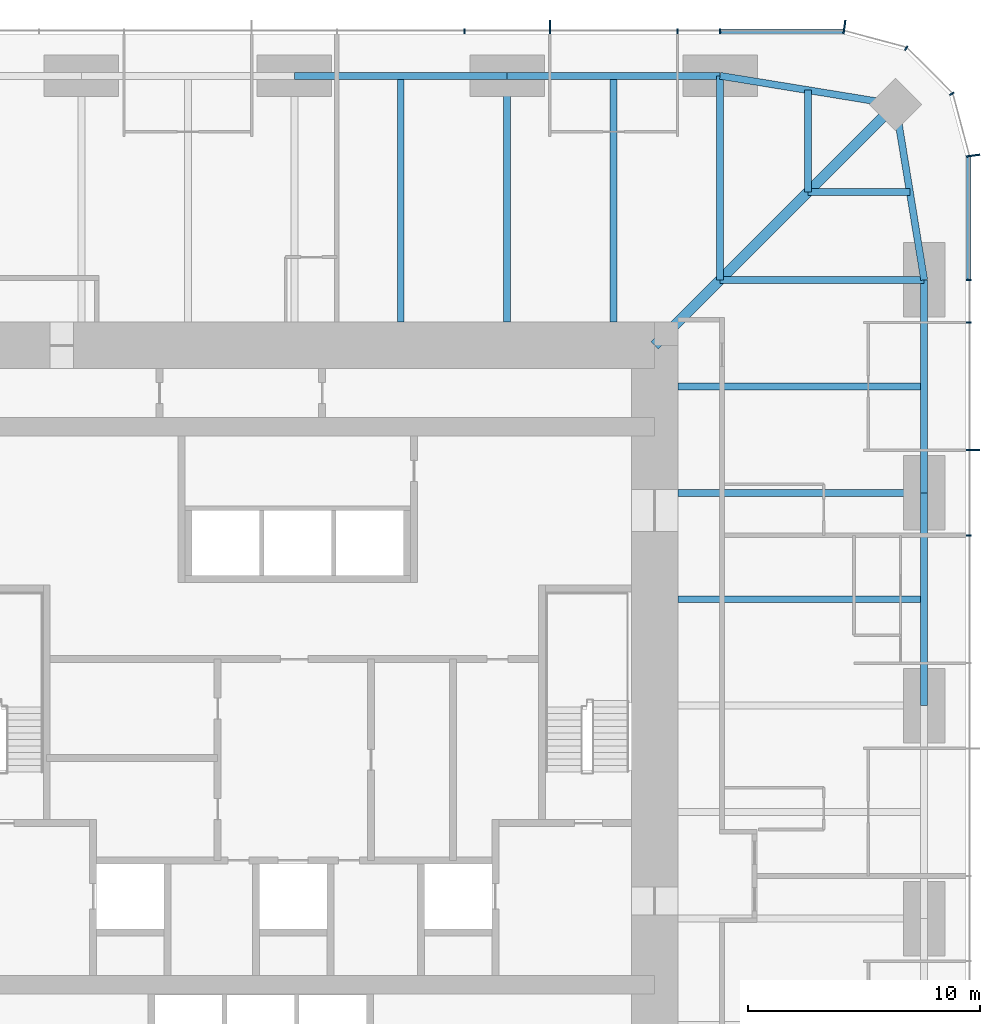
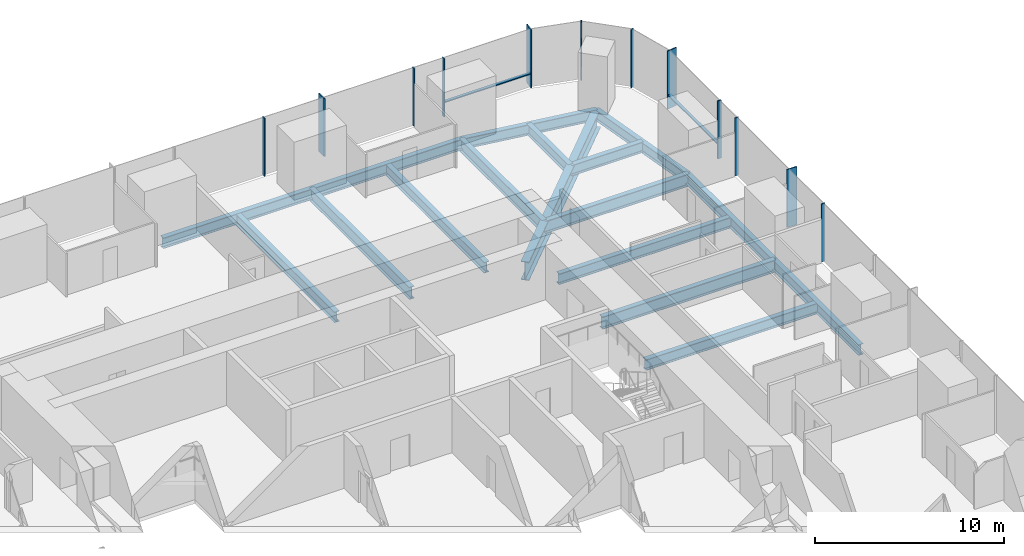
# One storey, part 6 of 13: 17 beams, 14 members, 3 elements without a shape of their own.
"""IFC4 building model written with IfcOpenShell, lengths in metres."""

from ifc_helpers import new_model, si_unit, direction, frame, origin, origin_2d, place, context, subcontext, project, spatial, rectangle, i_section, extrude, material, material_profile, profile_set, type_object, element, aggregate, save


model = new_model("IFC4")

# Units and contexts
model_context = context("Model", 3, precision=1e-05, world=origin(), true_north=direction((0.0, 1.0)))
body_context = subcontext(model_context, "Body", "Model", "MODEL_VIEW")
ifc_project = project(units=[si_unit("LENGTHUNIT", "METRE"), si_unit("AREAUNIT", "SQUARE_METRE"), si_unit("VOLUMEUNIT", "CUBIC_METRE"), si_unit("PLANEANGLEUNIT", "RADIAN"), si_unit("MASSUNIT", "GRAM", prefix="KILO")], contexts=[model_context])

# Site, building, storey
site_placement = place(None, origin())
site = spatial("IfcSite", under=ifc_project, at=site_placement, CompositionType="ELEMENT")
building_placement = place(site_placement, origin())
building = spatial("IfcBuilding", under=site, at=building_placement, Name="Khuree Lantern Residences", CompositionType="ELEMENT")
storey_placement = place(building_placement, frame((0.0, 0.0, 126.0)))
storey = spatial("IfcBuildingStorey", under=building, at=storey_placement, Name="L31", CompositionType="ELEMENT", Elevation=126.0)

# Beams
ifc_material_1 = material(Name="Steel S355", Category="steel")
ifc_material_profile_1 = material_profile(ifc_material_1, i_section(OverallWidth=0.300048828125, OverallDepth=0.68994140625, WebThickness=0.014404296875, FlangeThickness=0.027099609375, FilletRadius=0.027099609375, at=origin_2d()), Name="HE 700 A")
ifc_profile_set_1 = profile_set([ifc_material_profile_1], Name="Steel S355")
beam_type_1 = type_object("IfcBeamType", Name="B-22 SECONDARY BEAM HE 700 A", PredefinedType="BEAM", material=ifc_profile_set_1)
for number, where, z_axis, x_axis, name in (
    (1, (4.580078125, 27.10009765625, -0.594970703125), (0.0, -1.0, 0.0), (1.0, 0.0, 0.0), "Secondary beam N3"),
    (2, (13.739990234375, 27.10009765625, -0.594970703125), (0.0, -1.0, 0.0), (1.0, 0.0, 0.0), "Secondary beam N4"),
):
    element("IfcBeam", number, at=place(storey_placement, frame(where, z_axis=z_axis, x_axis=x_axis)), inside=storey, type_object=beam_type_1, Name=name, PredefinedType="BEAM", context=body_context, shape_type="SweptSolid", body=[
        extrude(i_section(OverallWidth=0.300048828125, OverallDepth=0.68994140625, WebThickness=0.014404296875, FlangeThickness=0.027099609375, FilletRadius=0.027099609375, at=origin_2d()), origin(), (0.0, 0.0, 1.0), 10.60009765625),
    ])
for number, where, z_axis, x_axis, name in (
    (3, (22.094970703125, 26.48486328125, -0.594970703125), (0.0, -1.0, 0.0), (1.0, 0.0, 0.0), "Secondary beam N5"),
    (4, (26.48486328125, 22.094970703125, -0.594970703125), (-1.0, 0.0, 0.0), (0.0, -1.0, 0.0), "Secondary beam E1"),
):
    element("IfcBeam", number, at=place(storey_placement, frame(where, z_axis=z_axis, x_axis=x_axis)), inside=storey, type_object=beam_type_1, Name=name, PredefinedType="BEAM", context=body_context, shape_type="SweptSolid", body=[
        extrude(i_section(OverallWidth=0.300048828125, OverallDepth=0.68994140625, WebThickness=0.014404296875, FlangeThickness=0.027099609375, FilletRadius=0.027099609375, at=origin_2d()), origin(), (0.0, 0.0, 1.0), 4.389892578125),
    ])
for number, where, z_axis, x_axis, name in (
    (5, (27.10009765625, 13.739990234375, -0.594970703125), (-1.0, 0.0, 0.0), (0.0, -1.0, 0.0), "Secondary beam E2"),
    (6, (27.10009765625, 4.580078125, -0.594970703125), (-1.0, 0.0, 0.0), (0.0, -1.0, 0.0), "Secondary beam E3"),
):
    element("IfcBeam", number, at=place(storey_placement, frame(where, z_axis=z_axis, x_axis=x_axis)), inside=storey, type_object=beam_type_1, Name=name, PredefinedType="BEAM", context=body_context, shape_type="SweptSolid", body=[
        extrude(i_section(OverallWidth=0.300048828125, OverallDepth=0.68994140625, WebThickness=0.014404296875, FlangeThickness=0.027099609375, FilletRadius=0.027099609375, at=origin_2d()), origin(), (0.0, 0.0, 1.0), 10.60009765625),
    ])
ifc_material_profile_2 = material_profile(ifc_material_1, i_section(OverallWidth=0.300048828125, OverallDepth=0.68994140625, WebThickness=0.014404296875, FlangeThickness=0.027099609375, FilletRadius=0.027099609375, at=origin_2d()), Name="HE 700 A")
ifc_profile_set_2 = profile_set([ifc_material_profile_2], Name="Steel S355")
beam_type_2 = type_object("IfcBeamType", Name="E-22 SPANDREL BEAM HE 700 A", PredefinedType="SPANDREL", material=ifc_profile_set_2)
beam_1_placement = place(storey_placement, frame((0.0, 27.10009765625, -0.594970703125), z_axis=(1.0, 0.0, 0.0), x_axis=(0.0, 1.0, 0.0)))
element("IfcBeam", 7, at=beam_1_placement, inside=storey, type_object=beam_type_2, Name="Spandrel beam N3", PredefinedType="SPANDREL", context=body_context, shape_type="SweptSolid", body=[
    extrude(i_section(OverallWidth=0.300048828125, OverallDepth=0.68994140625, WebThickness=0.014404296875, FlangeThickness=0.027099609375, FilletRadius=0.027099609375, at=origin_2d()), origin(), (0.0, 0.0, 1.0), 9.159912109375),
])
beam_2_placement = place(storey_placement, frame((9.159912109375, 27.10009765625, -0.594970703125), z_axis=(1.0, 0.0, 0.0), x_axis=(0.0, 1.0, 0.0)))
element("IfcBeam", 8, at=beam_2_placement, inside=storey, type_object=beam_type_2, Name="Spandrel beam N4", PredefinedType="SPANDREL", context=body_context, shape_type="SweptSolid", body=[
    extrude(i_section(OverallWidth=0.300048828125, OverallDepth=0.68994140625, WebThickness=0.014404296875, FlangeThickness=0.027099609375, FilletRadius=0.027099609375, at=origin_2d()), origin(), (0.0, 0.0, 1.0), 9.16015625),
])
for number, where, z_axis, x_axis, name in (
    (9, (18.320068359375, 27.10009765625, -0.594970703125), (0.986982656839, -0.160826723833, 0.0), (0.160826723833, 0.986982656839, 0.0), "Spandrel beam N5"),
    (10, (25.869873046875, 25.869873046875, -0.594970703125), (0.160826723833, -0.986982656839, 0.0), (0.986982656839, 0.160826723833, 0.0), "Spandrel beam E1"),
):
    element("IfcBeam", number, at=place(storey_placement, frame(where, z_axis=z_axis, x_axis=x_axis)), inside=storey, type_object=beam_type_2, Name=name, PredefinedType="SPANDREL", context=body_context, shape_type="SweptSolid", body=[
        extrude(i_section(OverallWidth=0.300048828125, OverallDepth=0.68994140625, WebThickness=0.014404296875, FlangeThickness=0.027099609375, FilletRadius=0.027099609375, at=origin_2d()), origin(), (0.0, 0.0, 1.0), 7.6494140625),
    ])
beam_3_placement = place(storey_placement, frame((27.10009765625, 18.320068359375, -0.594970703125), z_axis=(0.0, -1.0, 0.0), x_axis=(1.0, 0.0, 0.0)))
element("IfcBeam", 11, at=beam_3_placement, inside=storey, type_object=beam_type_2, Name="Spandrel beam E2", PredefinedType="SPANDREL", context=body_context, shape_type="SweptSolid", body=[
    extrude(i_section(OverallWidth=0.300048828125, OverallDepth=0.68994140625, WebThickness=0.014404296875, FlangeThickness=0.027099609375, FilletRadius=0.027099609375, at=origin_2d()), origin(), (0.0, 0.0, 1.0), 9.16015625),
])
beam_4_placement = place(storey_placement, frame((27.10009765625, 9.159912109375, -0.594970703125), z_axis=(0.0, -1.0, 0.0), x_axis=(1.0, 0.0, 0.0)))
element("IfcBeam", 12, at=beam_4_placement, inside=storey, type_object=beam_type_2, Name="Spandrel beam E3", PredefinedType="SPANDREL", context=body_context, shape_type="SweptSolid", body=[
    extrude(i_section(OverallWidth=0.300048828125, OverallDepth=0.68994140625, WebThickness=0.014404296875, FlangeThickness=0.027099609375, FilletRadius=0.027099609375, at=origin_2d()), origin(), (0.0, 0.0, 1.0), 9.159912109375),
])

# Curtain wall, member
ifc_material_2 = material(Name="Bronze anodised aluminium", Category="aluminium")
curtain_wall_type_1 = type_object("IfcCurtainWallType", Name="CW-T1 TOWER FACE CURTAIN WALL", PredefinedType="USERDEFINED", material=ifc_material_2)
curtain_wall_1_placement = place(storey_placement, origin())
curtain_wall_1 = element("IfcCurtainWall", 13, at=curtain_wall_1_placement, inside=storey, type_object=curtain_wall_type_1, Name="L31 EAST FACE CURTAIN WALL", ObjectType="Stick-built curtain wall", PredefinedType="USERDEFINED")
ifc_material_profile_3 = material_profile(ifc_material_2, rectangle(XDim=0.06494140625, YDim=0.60009765625, at=origin_2d()), Name="F1 65X600")
ifc_profile_set_3 = profile_set([ifc_material_profile_3], Name="Bronze anodised aluminium")
member_type_1 = type_object("IfcMemberType", Name="F1 BRONZE FIN MULLION TOWER 65X600", PredefinedType="MULLION", material=ifc_profile_set_3)
member_1_placement = place(storey_placement, frame((29.199951171875, 10.991943359375, 0.0), z_axis=(0.0, 0.0, 1.0), x_axis=(0.0, 1.0, 0.0)))
member_1 = element("IfcMember", 14, at=member_1_placement, type_object=member_type_1, Name="L31 EAST FACE FIN MULLION 12", PredefinedType="MULLION", context=body_context, shape_type="SweptSolid", body=[
    extrude(rectangle(XDim=0.06494140625, YDim=0.60009765625, at=origin_2d()), origin(), (0.0, 0.0, 1.0), 3.75),
])

curtain_wall_type_2 = type_object("IfcCurtainWallType", Name="CW-T2 TOWER CORNER CURTAIN WALL", PredefinedType="USERDEFINED", material=ifc_material_2)
curtain_wall_2_placement = place(storey_placement, origin())
curtain_wall_2 = element("IfcCurtainWall", 15, at=curtain_wall_2_placement, inside=storey, type_object=curtain_wall_type_2, Name="L31 NORTH-EAST CORNER CURTAIN WALL", ObjectType="Faceted corner curtain wall", PredefinedType="USERDEFINED")
member_2_placement = place(storey_placement, frame((29.2001953125, 23.669677734375, 0.0), z_axis=(0.0, 0.0, 1.0), x_axis=(-0.130526223125, 0.991444857305, 0.0)))
member_2 = element("IfcMember", 16, at=member_2_placement, type_object=member_type_1, Name="L31 NORTH-EAST CORNER FIN MULLION 15", PredefinedType="MULLION", context=body_context, shape_type="SweptSolid", body=[
    extrude(rectangle(XDim=0.06494140625, YDim=0.60009765625, at=origin_2d()), origin(), (0.0, 0.0, 1.0), 3.75),
])

# Curtain wall, members
curtain_wall_3_placement = place(storey_placement, origin())
curtain_wall_3 = element("IfcCurtainWall", 17, at=curtain_wall_3_placement, inside=storey, type_object=curtain_wall_type_1, Name="L31 NORTH FACE CURTAIN WALL", ObjectType="Stick-built curtain wall", PredefinedType="USERDEFINED")
member_3_placement = place(storey_placement, frame((23.669677734375, 29.2001953125, 0.0), z_axis=(0.0, 0.0, 1.0), x_axis=(-0.991444857305, 0.130526223125, 0.0)))
member_3 = element("IfcMember", 18, at=member_3_placement, type_object=member_type_1, Name="L31 NORTH FACE FIN MULLION 18", PredefinedType="MULLION", context=body_context, shape_type="SweptSolid", body=[
    extrude(rectangle(XDim=0.06494140625, YDim=0.60009765625, at=origin_2d()), origin(), (0.0, 0.0, 1.0), 3.75),
])
member_4_placement = place(storey_placement, frame((10.991943359375, 29.199951171875, 0.0), z_axis=(0.0, 0.0, 1.0), x_axis=(-1.0, 0.0, 0.0)))
member_4 = element("IfcMember", 19, at=member_4_placement, type_object=member_type_1, Name="L31 NORTH FACE FIN MULLION 21", PredefinedType="MULLION", context=body_context, shape_type="SweptSolid", body=[
    extrude(rectangle(XDim=0.06494140625, YDim=0.60009765625, at=origin_2d()), origin(), (0.0, 0.0, 1.0), 3.75),
])

# Beams
ifc_material_profile_4 = material_profile(ifc_material_1, i_section(OverallWidth=0.300048828125, OverallDepth=0.800048828125, WebThickness=0.017578125, FlangeThickness=0.032958984375, FilletRadius=0.030029296875, at=origin_2d()), Name="HE 800 B")
ifc_profile_set_4 = profile_set([ifc_material_profile_4], Name="Steel S355")
beam_type_3 = type_object("IfcBeamType", Name="G-22 GIRDER HE 800 B", PredefinedType="BEAM", material=ifc_profile_set_4)
beam_5_placement = place(storey_placement, frame((9.159912109375, 27.10009765625, -0.64990234375), z_axis=(0.0, -1.0, 0.0), x_axis=(1.0, 0.0, 0.0)))
element("IfcBeam", 20, at=beam_5_placement, inside=storey, type_object=beam_type_3, Name="Girder N4", PredefinedType="BEAM", context=body_context, shape_type="SweptSolid", body=[
    extrude(i_section(OverallWidth=0.300048828125, OverallDepth=0.800048828125, WebThickness=0.017578125, FlangeThickness=0.032958984375, FilletRadius=0.030029296875, at=origin_2d()), origin(), (0.0, 0.0, 1.0), 10.60009765625),
])
for number, where, z_axis, x_axis, name in (
    (21, (18.320068359375, 27.10009765625, -0.64990234375), (0.0, -1.0, 0.0), (1.0, 0.0, 0.0), "Girder N5"),
    (22, (27.10009765625, 18.320068359375, -0.64990234375), (-1.0, 0.0, 0.0), (0.0, -1.0, 0.0), "Girder E1"),
):
    element("IfcBeam", number, at=place(storey_placement, frame(where, z_axis=z_axis, x_axis=x_axis)), inside=storey, type_object=beam_type_3, Name=name, PredefinedType="BEAM", context=body_context, shape_type="SweptSolid", body=[
        extrude(i_section(OverallWidth=0.300048828125, OverallDepth=0.800048828125, WebThickness=0.017578125, FlangeThickness=0.032958984375, FilletRadius=0.030029296875, at=origin_2d()), origin(), (0.0, 0.0, 1.0), 8.780029296875),
    ])
beam_6_placement = place(storey_placement, frame((27.10009765625, 9.159912109375, -0.64990234375), z_axis=(-1.0, 0.0, 0.0), x_axis=(0.0, -1.0, 0.0)))
element("IfcBeam", 23, at=beam_6_placement, inside=storey, type_object=beam_type_3, Name="Girder E2", PredefinedType="BEAM", context=body_context, shape_type="SweptSolid", body=[
    extrude(i_section(OverallWidth=0.300048828125, OverallDepth=0.800048828125, WebThickness=0.017578125, FlangeThickness=0.032958984375, FilletRadius=0.030029296875, at=origin_2d()), origin(), (0.0, 0.0, 1.0), 10.60009765625),
])
ifc_material_profile_5 = material_profile(ifc_material_1, i_section(OverallWidth=0.449951171875, OverallDepth=1.199951171875, WebThickness=0.02490234375, FlangeThickness=0.044921875, at=origin_2d()), Name="WELDED I 1200X450X25X45")
ifc_profile_set_5 = profile_set([ifc_material_profile_5], Name="Steel S355")
beam_type_4 = type_object("IfcBeamType", Name="GD-22 CORNER GIRDER WELDED I 1200X450X25X45", PredefinedType="BEAM", material=ifc_profile_set_5)
beam_7_placement = place(storey_placement, frame((25.869873046875, 25.869873046875, -0.85009765625), z_axis=(-0.707106781187, -0.707106781187, 0.0), x_axis=(0.707106781187, -0.707106781187, 0.0)))
element("IfcBeam", 24, at=beam_7_placement, inside=storey, type_object=beam_type_4, Name="Corner girder NE", PredefinedType="BEAM", context=body_context, shape_type="SweptSolid", body=[
    extrude(i_section(OverallWidth=0.449951171875, OverallDepth=1.199951171875, WebThickness=0.02490234375, FlangeThickness=0.044921875, at=origin_2d()), origin(), (0.0, 0.0, 1.0), 14.665283203125),
])

# Member
ifc_material_profile_6 = material_profile(ifc_material_2, rectangle(XDim=0.06494140625, YDim=0.219970703125, at=origin_2d()), Name="M1 65X220")
ifc_profile_set_6 = profile_set([ifc_material_profile_6], Name="Bronze anodised aluminium")
member_type_2 = type_object("IfcMemberType", Name="M1 BRONZE MULLION TOWER 65X220", PredefinedType="MULLION", material=ifc_profile_set_6)
member_5_placement = place(storey_placement, frame((29.010009765625, 7.327880859375, 0.0), z_axis=(0.0, 0.0, 1.0), x_axis=(0.0, 1.0, 0.0)))
member_5 = element("IfcMember", 25, at=member_5_placement, type_object=member_type_2, Name="L31 EAST FACE MULLION 11", PredefinedType="MULLION", context=body_context, shape_type="SweptSolid", body=[
    extrude(rectangle(XDim=0.06494140625, YDim=0.219970703125, at=origin_2d()), origin(), (0.0, 0.0, 1.0), 3.75),
])

member_6_placement = place(storey_placement, frame((29.010009765625, 16.488037109375, 0.0), z_axis=(0.0, 0.0, 1.0), x_axis=(0.0, 1.0, 0.0)))
member_6 = element("IfcMember", 26, at=member_6_placement, type_object=member_type_2, Name="L31 EAST FACE MULLION 13", PredefinedType="MULLION", context=body_context, shape_type="SweptSolid", body=[
    extrude(rectangle(XDim=0.06494140625, YDim=0.219970703125, at=origin_2d()), origin(), (0.0, 0.0, 1.0), 3.75),
])

member_7_placement = place(storey_placement, frame((29.010009765625, 18.320068359375, 0.0), z_axis=(0.0, 0.0, 1.0), x_axis=(0.0, 1.0, 0.0)))
member_7 = element("IfcMember", 27, at=member_7_placement, type_object=member_type_2, Name="L31 EAST FACE MULLION 14", PredefinedType="MULLION", context=body_context, shape_type="SweptSolid", body=[
    extrude(rectangle(XDim=0.06494140625, YDim=0.219970703125, at=origin_2d()), origin(), (0.0, 0.0, 1.0), 3.75),
])

member_8_placement = place(storey_placement, frame((28.2919921875, 26.330078125, 0.0), z_axis=(0.0, 0.0, 1.0), x_axis=(-0.500000026995, 0.866025388199, 0.0)))
member_8 = element("IfcMember", 28, at=member_8_placement, type_object=member_type_2, Name="L31 NORTH-EAST CORNER MULLION 16", PredefinedType="MULLION", context=body_context, shape_type="SweptSolid", body=[
    extrude(rectangle(XDim=0.06494140625, YDim=0.219970703125, at=origin_2d()), origin(), (0.0, 0.0, 1.0), 3.75),
])

member_9_placement = place(storey_placement, frame((26.330078125, 28.2919921875, 0.0), z_axis=(0.0, 0.0, 1.0), x_axis=(-0.866025388199, 0.500000026995, 0.0)))
member_9 = element("IfcMember", 29, at=member_9_placement, type_object=member_type_2, Name="L31 NORTH-EAST CORNER MULLION 17", PredefinedType="MULLION", context=body_context, shape_type="SweptSolid", body=[
    extrude(rectangle(XDim=0.06494140625, YDim=0.219970703125, at=origin_2d()), origin(), (0.0, 0.0, 1.0), 3.75),
])

aggregate(curtain_wall_2, [member_2, member_8, member_9])

member_10_placement = place(storey_placement, frame((18.320068359375, 29.010009765625, 0.0), z_axis=(0.0, 0.0, 1.0), x_axis=(-1.0, 0.0, 0.0)))
member_10 = element("IfcMember", 30, at=member_10_placement, type_object=member_type_2, Name="L31 NORTH FACE MULLION 19", PredefinedType="MULLION", context=body_context, shape_type="SweptSolid", body=[
    extrude(rectangle(XDim=0.06494140625, YDim=0.219970703125, at=origin_2d()), origin(), (0.0, 0.0, 1.0), 3.75),
])

member_11_placement = place(storey_placement, frame((16.488037109375, 29.010009765625, 0.0), z_axis=(0.0, 0.0, 1.0), x_axis=(-1.0, 0.0, 0.0)))
member_11 = element("IfcMember", 31, at=member_11_placement, type_object=member_type_2, Name="L31 NORTH FACE MULLION 20", PredefinedType="MULLION", context=body_context, shape_type="SweptSolid", body=[
    extrude(rectangle(XDim=0.06494140625, YDim=0.219970703125, at=origin_2d()), origin(), (0.0, 0.0, 1.0), 3.75),
])

member_12_placement = place(storey_placement, frame((7.327880859375, 29.010009765625, 0.0), z_axis=(0.0, 0.0, 1.0), x_axis=(-1.0, 0.0, 0.0)))
member_12 = element("IfcMember", 32, at=member_12_placement, type_object=member_type_2, Name="L31 NORTH FACE MULLION 22", PredefinedType="MULLION", context=body_context, shape_type="SweptSolid", body=[
    extrude(rectangle(XDim=0.06494140625, YDim=0.219970703125, at=origin_2d()), origin(), (0.0, 0.0, 1.0), 3.75),
])

ifc_material_profile_7 = material_profile(ifc_material_2, rectangle(XDim=0.179931640625, YDim=0.06494140625, at=origin_2d()), Name="T1 180X65")
ifc_profile_set_7 = profile_set([ifc_material_profile_7], Name="Bronze anodised aluminium")
member_type_3 = type_object("IfcMemberType", Name="TRANSOM T1 TOWER 180X65", PredefinedType="USERDEFINED", material=ifc_profile_set_7)
member_13_placement = place(storey_placement, frame((29.02001953125, 18.3525390625, 0.89990234375), z_axis=(0.0, 1.0, 0.0), x_axis=(-1.0, 0.0, 0.0)))
member_13 = element("IfcMember", 33, at=member_13_placement, type_object=member_type_3, Name="L31 EAST FACE TRANSOM 14.1", ObjectType="Transom", PredefinedType="USERDEFINED", context=body_context, shape_type="SweptSolid", body=[
    extrude(rectangle(XDim=0.179931640625, YDim=0.06494140625, at=origin_2d()), origin(), (0.0, 0.0, 1.0), 5.248779296875),
])

aggregate(curtain_wall_1, [member_5, member_1, member_6, member_7, member_13])

member_14_placement = place(storey_placement, frame((23.601318359375, 29.02001953125, 0.89990234375), z_axis=(-1.0, 0.0, 0.0), x_axis=(0.0, -1.0, 0.0)))
member_14 = element("IfcMember", 34, at=member_14_placement, type_object=member_type_3, Name="L31 NORTH FACE TRANSOM 18.1", ObjectType="Transom", PredefinedType="USERDEFINED", context=body_context, shape_type="SweptSolid", body=[
    extrude(rectangle(XDim=0.179931640625, YDim=0.06494140625, at=origin_2d()), origin(), (0.0, 0.0, 1.0), 5.248779296875),
])

aggregate(curtain_wall_3, [member_3, member_10, member_11, member_4, member_12, member_14])

save(model, "model.ifc")
